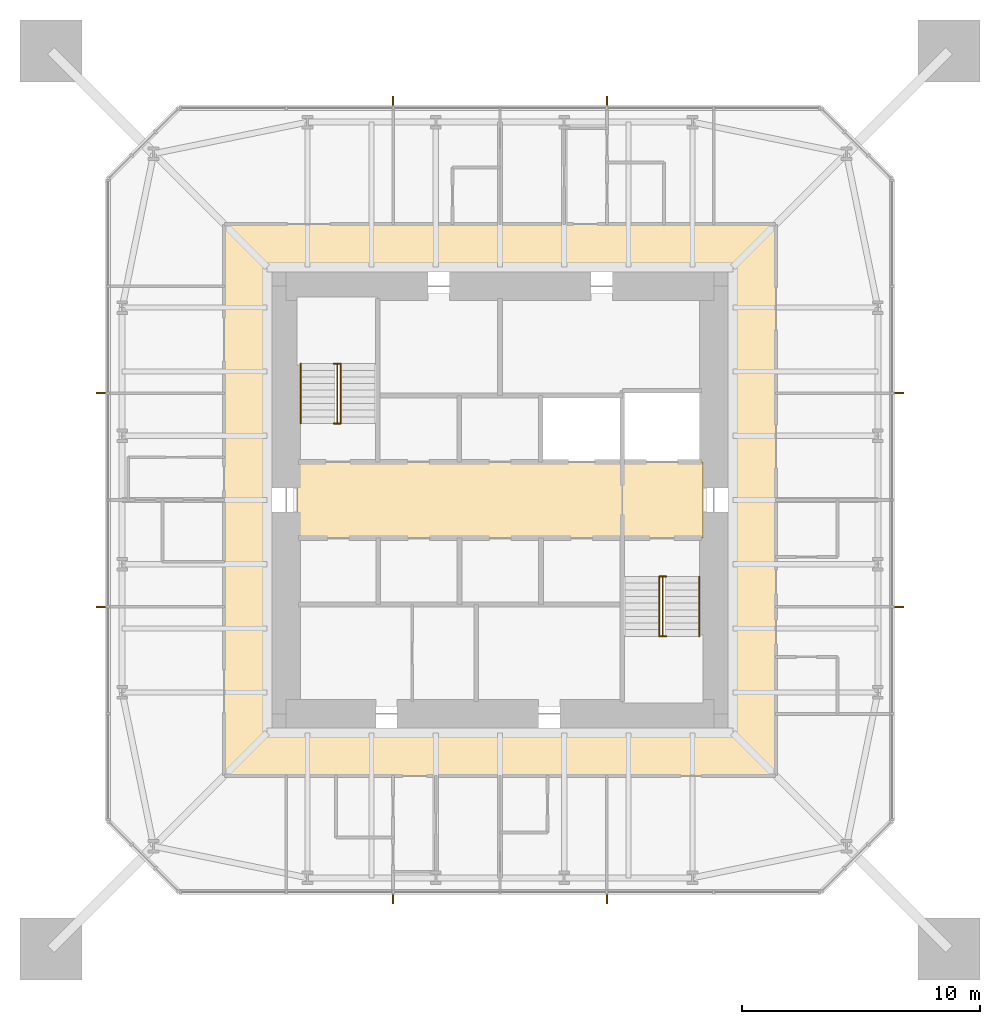
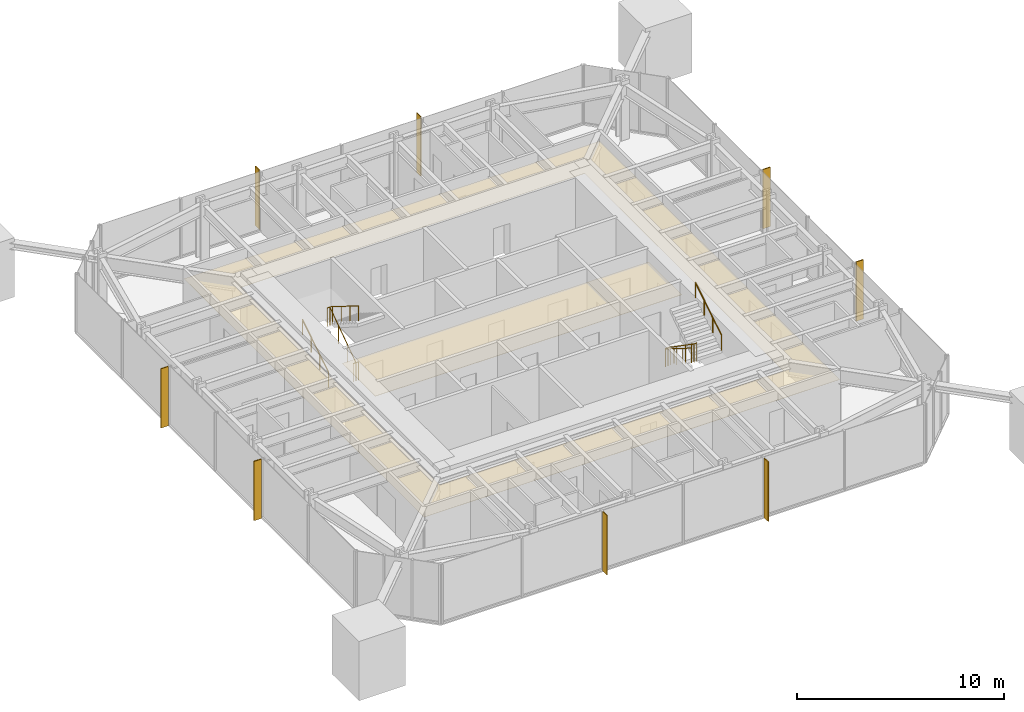
# One storey, part 9 of 9: 8 shading devices, 6 railings, 3 coverings.
"""IFC4 building model written with IfcOpenShell, lengths in metres."""

from ifc_helpers import new_model, si_unit, direction, frame, origin, origin_2d, place, context, subcontext, project, spatial, polyline, rectangle, circle, outline, extrude, material, layer, layer_set, constituent, constituent_set, type_object, element, save


model = new_model("IFC4")

# Units and contexts
model_context = context("Model", 3, precision=1e-05, world=origin(), true_north=direction((0.0, 1.0)))
body_context = subcontext(model_context, "Body", "Model", "MODEL_VIEW")
ifc_project = project(units=[si_unit("LENGTHUNIT", "METRE"), si_unit("AREAUNIT", "SQUARE_METRE"), si_unit("VOLUMEUNIT", "CUBIC_METRE"), si_unit("PLANEANGLEUNIT", "RADIAN"), si_unit("MASSUNIT", "GRAM", prefix="KILO")], contexts=[model_context])

# Site, building, storey
site_placement = place(None, origin())
site = spatial("IfcSite", under=ifc_project, at=site_placement, CompositionType="ELEMENT")
building_placement = place(site_placement, origin())
building = spatial("IfcBuilding", under=site, at=building_placement, Name="Iwan Alto Co-Living Towers", CompositionType="ELEMENT")
storey_placement = place(building_placement, frame((0.0, 0.0, 257.0)))
storey = spatial("IfcBuildingStorey", under=building, at=storey_placement, Name="L70", CompositionType="ELEMENT", Elevation=257.0)

# Coverings
ifc_material_1 = material(Name="Mineral fibre acoustic tiles on steel grid", Category="steel")
ifc_layer_1 = layer(ifc_material_1, 0.02001953125)
ifc_layer_set_1 = layer_set([ifc_layer_1], Name="ACOUSTIC TILE CEILING 20")
covering_type_1 = type_object("IfcCoveringType", Name="ACOUSTIC TILE CEILING 20", PredefinedType="CEILING", material=ifc_layer_set_1)
covering_1_placement = place(storey_placement, frame((0.0, 0.0, 2.60009765625)))
element("IfcCovering", 1, at=covering_1_placement, inside=storey, type_object=covering_type_1, Name="Ceiling Lift lobby L70", PredefinedType="CEILING", context=body_context, shape_type="SweptSolid", body=[
    extrude(outline(polyline([(-8.550048828125, -1.60009765625), (-8.550048828125, 1.60009765625), (5.14990234375, 1.60009765625), (5.14990234375, -1.60009765625), (-8.550048828125, -1.60009765625)])), origin(), (0.0, 0.0, 1.0), 0.02001953125),
])
covering_2_placement = place(storey_placement, frame((0.0, 0.0, 2.60009765625)))
element("IfcCovering", 2, at=covering_2_placement, inside=storey, type_object=covering_type_1, Name="Ceiling Firefighting lobby L70", PredefinedType="CEILING", context=body_context, shape_type="SweptSolid", body=[
    extrude(outline(polyline([(5.14990234375, -1.60009765625), (5.14990234375, 1.60009765625), (8.550048828125, 1.60009765625), (8.550048828125, -1.60009765625), (5.14990234375, -1.60009765625)])), origin(), (0.0, 0.0, 1.0), 0.02001953125),
])

# Shading devices
ifc_material_2 = material(Name="Aluminium 6063-T6 bronze anodised", Category="aluminium")
ifc_layer_2 = layer(ifc_material_2, 0.050048828125)
ifc_layer_set_2 = layer_set([ifc_layer_2], Name="BRONZE FIN 50X400")
shading_device_type = type_object("IfcShadingDeviceType", Name="BRONZE FIN 50X400", PredefinedType="USERDEFINED", material=ifc_layer_set_2)
for number, where, z_axis, x_axis, name in (
    (3, (-4.5, -16.800048828125, 0.0), (0.0, 0.0, 1.0), (1.0, 0.0, 0.0), "Bronze fin L70"),
    (4, (4.5, -16.800048828125, 0.0), (0.0, 0.0, 1.0), (1.0, 0.0, 0.0), "Bronze fin L70"),
    (5, (16.800048828125, -4.5, 0.0), (0.0, 0.0, 1.0), (0.0, 1.0, 0.0), "Bronze fin L70"),
    (6, (16.800048828125, 4.5, 0.0), (0.0, 0.0, 1.0), (0.0, 1.0, 0.0), "Bronze fin L70"),
    (7, (4.5, 16.800048828125, 0.0), (0.0, 0.0, 1.0), (-1.0, 0.0, 0.0), "Bronze fin L70"),
    (8, (-4.5, 16.800048828125, 0.0), (0.0, 0.0, 1.0), (-1.0, 0.0, 0.0), "Bronze fin L70"),
    (9, (-16.800048828125, 4.5, 0.0), (0.0, 0.0, 1.0), (0.0, -1.0, 0.0), "Bronze fin L70"),
    (10, (-16.800048828125, -4.5, 0.0), (0.0, 0.0, 1.0), (0.0, -1.0, 0.0), "Bronze fin L70"),
):
    element("IfcShadingDevice", number, at=place(storey_placement, frame(where, z_axis=z_axis, x_axis=x_axis)), inside=storey, type_object=shading_device_type, Name=name, ObjectType="LOUVER", PredefinedType="USERDEFINED", context=body_context, shape_type="SweptSolid", body=[
        extrude(rectangle(XDim=0.050048828125, YDim=0.39990234375, at=origin_2d()), origin(), (0.0, 0.0, 1.0), 3.5),
    ])

# Railings
ifc_material_3 = material(Name="Steel ASTM A500 Gr C", Category="steel")
ifc_constituent_1 = constituent(ifc_material_3, Name="Rails and posts", Category="Framing")
ifc_material_4 = material(Name="Steel ASTM A36", Category="steel")
ifc_constituent_2 = constituent(ifc_material_4, Name="Bar infill", Category="Infill")
ifc_constituent_set = constituent_set(constituents=[ifc_constituent_1, ifc_constituent_2], Name="STAIR GUARD 1100")
railing_type_1 = type_object("IfcRailingType", Name="STAIR GUARD 1100", PredefinedType="GUARDRAIL", material=ifc_constituent_set)
railing_1_placement = place(storey_placement, frame((-6.85009765625, 3.219970703125, 0.0)))
element("IfcRailing", 11, at=railing_1_placement, inside=storey, type_object=railing_type_1, Name="Stair T1-S1 well guard L70", PredefinedType="GUARDRAIL", context=body_context, shape_type="SweptSolid", body=[
    extrude(circle(Radius=0.02392578125, at=origin_2d()), frame((0.0, 0.0, 1.076171875), z_axis=(0.0, 0.821372036852, 0.570392826987), x_axis=(-1.0, 0.0, 0.0)), (0.0, 0.0, 1.0), 3.068115234375),
    extrude(circle(Radius=0.02392578125, at=origin_2d()), frame((-0.14990234375, 0.0, 1.076171875), z_axis=(1.0, 0.0, 0.0), x_axis=(0.0, 1.0, 0.0)), (0.0, 0.0, 1.0), 0.300048828125),
    extrude(circle(Radius=0.02392578125, at=origin_2d()), frame((-0.14990234375, 2.52001953125, 2.826171875), z_axis=(1.0, 0.0, 0.0), x_axis=(0.0, 1.0, 0.0)), (0.0, 0.0, 1.0), 0.300048828125),
    extrude(circle(Radius=0.02099609375, at=origin_2d()), origin(), (0.0, 0.0, 1.0), 1.052001953125),
    extrude(circle(Radius=0.02099609375, at=origin_2d()), frame((0.0, 0.840087890625, 0.583251953125)), (0.0, 0.0, 1.0), 1.052001953125),
    extrude(circle(Radius=0.02099609375, at=origin_2d()), frame((0.0, 1.679931640625, 1.166748046875)), (0.0, 0.0, 1.0), 1.052001953125),
    extrude(circle(Radius=0.02099609375, at=origin_2d()), frame((0.0, 2.52001953125, 1.75)), (0.0, 0.0, 1.0), 1.052001953125),
    extrude(circle(Radius=0.02099609375, at=origin_2d()), frame((-0.14990234375, 0.0, 0.0)), (0.0, 0.0, 1.0), 1.052001953125),
    extrude(circle(Radius=0.02099609375, at=origin_2d()), frame((0.150146484375, 0.0, 0.0)), (0.0, 0.0, 1.0), 1.052001953125),
    extrude(circle(Radius=0.02099609375, at=origin_2d()), frame((-0.14990234375, 2.52001953125, 1.75)), (0.0, 0.0, 1.0), 1.052001953125),
    extrude(circle(Radius=0.02099609375, at=origin_2d()), frame((0.150146484375, 2.52001953125, 1.75)), (0.0, 0.0, 1.0), 1.052001953125),
])
railing_2_placement = place(storey_placement, frame((6.85009765625, -3.219970703125, 0.0)))
element("IfcRailing", 12, at=railing_2_placement, inside=storey, type_object=railing_type_1, Name="Stair T1-S2 well guard L70", PredefinedType="GUARDRAIL", context=body_context, shape_type="SweptSolid", body=[
    extrude(circle(Radius=0.02392578125, at=origin_2d()), frame((0.0, 0.0, 1.076171875), z_axis=(0.0, -0.821372036852, 0.570392826987), x_axis=(1.0, 0.0, 0.0)), (0.0, 0.0, 1.0), 3.068115234375),
    extrude(circle(Radius=0.02392578125, at=origin_2d()), frame((-0.150146484375, 0.0, 1.076171875), z_axis=(1.0, 0.0, 0.0), x_axis=(0.0, 1.0, 0.0)), (0.0, 0.0, 1.0), 0.300048828125),
    extrude(circle(Radius=0.02392578125, at=origin_2d()), frame((-0.150146484375, -2.52001953125, 2.826171875), z_axis=(1.0, 0.0, 0.0), x_axis=(0.0, 1.0, 0.0)), (0.0, 0.0, 1.0), 0.300048828125),
    extrude(circle(Radius=0.02099609375, at=origin_2d()), origin(), (0.0, 0.0, 1.0), 1.052001953125),
    extrude(circle(Radius=0.02099609375, at=origin_2d()), frame((0.0, -0.840087890625, 0.583251953125)), (0.0, 0.0, 1.0), 1.052001953125),
    extrude(circle(Radius=0.02099609375, at=origin_2d()), frame((0.0, -1.679931640625, 1.166748046875)), (0.0, 0.0, 1.0), 1.052001953125),
    extrude(circle(Radius=0.02099609375, at=origin_2d()), frame((0.0, -2.52001953125, 1.75)), (0.0, 0.0, 1.0), 1.052001953125),
    extrude(circle(Radius=0.02099609375, at=origin_2d()), frame((-0.150146484375, 0.0, 0.0)), (0.0, 0.0, 1.0), 1.052001953125),
    extrude(circle(Radius=0.02099609375, at=origin_2d()), frame((0.14990234375, 0.0, 0.0)), (0.0, 0.0, 1.0), 1.052001953125),
    extrude(circle(Radius=0.02099609375, at=origin_2d()), frame((-0.150146484375, -2.52001953125, 1.75)), (0.0, 0.0, 1.0), 1.052001953125),
    extrude(circle(Radius=0.02099609375, at=origin_2d()), frame((0.14990234375, -2.52001953125, 1.75)), (0.0, 0.0, 1.0), 1.052001953125),
])
ifc_material_5 = material(Name="Steel ASTM A500 Gr C", Category="steel")
railing_type_2 = type_object("IfcRailingType", Name="STAIR HANDRAIL 900", PredefinedType="HANDRAIL", material=ifc_material_5)
railing_3_placement = place(storey_placement, frame((-8.3798828125, 3.219970703125, 0.175048828125)))
element("IfcRailing", 13, at=railing_3_placement, inside=storey, type_object=railing_type_2, Name="Stair T1-S1 handrail 1 L70", PredefinedType="HANDRAIL", context=body_context, shape_type="SweptSolid", body=[
    extrude(circle(Radius=0.02392578125, at=origin_2d()), frame((0.0, 0.0, 0.8759765625), z_axis=(0.0, 0.848007534815, 0.529984170421), x_axis=(-1.0, 0.0, 0.0)), (0.0, 0.0, 1.0), 2.9716796875),
    extrude(circle(Radius=0.02099609375, at=origin_2d()), origin(), (0.0, 0.0, 1.0), 0.851806640625),
    extrude(circle(Radius=0.02099609375, at=origin_2d()), frame((0.0, 0.840087890625, 0.52490234375)), (0.0, 0.0, 1.0), 0.851806640625),
    extrude(circle(Radius=0.02099609375, at=origin_2d()), frame((0.0, 1.679931640625, 1.050048828125)), (0.0, 0.0, 1.0), 0.851806640625),
    extrude(circle(Radius=0.02099609375, at=origin_2d()), frame((0.0, 2.52001953125, 1.574951171875)), (0.0, 0.0, 1.0), 0.851806640625),
])
for number, where, name in (
    (14, (-6.699951171875, 5.739990234375, 1.925048828125), "Stair T1-S1 handrail 2 L70"),
    (15, (6.699951171875, -3.219970703125, 0.175048828125), "Stair T1-S2 handrail 1 L70"),
):
    element("IfcRailing", number, at=place(storey_placement, frame(where)), inside=storey, type_object=railing_type_2, Name=name, PredefinedType="HANDRAIL", context=body_context, shape_type="SweptSolid", body=[
        extrude(circle(Radius=0.02392578125, at=origin_2d()), frame((0.0, 0.0, 0.8759765625), z_axis=(0.0, -0.848007534815, 0.529984170421), x_axis=(1.0, 0.0, 0.0)), (0.0, 0.0, 1.0), 2.9716796875),
        extrude(circle(Radius=0.02099609375, at=origin_2d()), origin(), (0.0, 0.0, 1.0), 0.851806640625),
        extrude(circle(Radius=0.02099609375, at=origin_2d()), frame((0.0, -0.840087890625, 0.52490234375)), (0.0, 0.0, 1.0), 0.851806640625),
        extrude(circle(Radius=0.02099609375, at=origin_2d()), frame((0.0, -1.679931640625, 1.050048828125)), (0.0, 0.0, 1.0), 0.851806640625),
        extrude(circle(Radius=0.02099609375, at=origin_2d()), frame((0.0, -2.52001953125, 1.574951171875)), (0.0, 0.0, 1.0), 0.851806640625),
    ])
railing_4_placement = place(storey_placement, frame((8.3798828125, -5.739990234375, 1.925048828125)))
element("IfcRailing", 16, at=railing_4_placement, inside=storey, type_object=railing_type_2, Name="Stair T1-S2 handrail 2 L70", PredefinedType="HANDRAIL", context=body_context, shape_type="SweptSolid", body=[
    extrude(circle(Radius=0.02392578125, at=origin_2d()), frame((0.0, 0.0, 0.8759765625), z_axis=(0.0, 0.848007534815, 0.529984170421), x_axis=(-1.0, 0.0, 0.0)), (0.0, 0.0, 1.0), 2.9716796875),
    extrude(circle(Radius=0.02099609375, at=origin_2d()), origin(), (0.0, 0.0, 1.0), 0.851806640625),
    extrude(circle(Radius=0.02099609375, at=origin_2d()), frame((0.0, 0.840087890625, 0.52490234375)), (0.0, 0.0, 1.0), 0.851806640625),
    extrude(circle(Radius=0.02099609375, at=origin_2d()), frame((0.0, 1.679931640625, 1.050048828125)), (0.0, 0.0, 1.0), 0.851806640625),
    extrude(circle(Radius=0.02099609375, at=origin_2d()), frame((0.0, 2.52001953125, 1.574951171875)), (0.0, 0.0, 1.0), 0.851806640625),
])

# Covering
ifc_material_6 = material(Name="Gypsum plasterboard on steel grid", Category="steel")
ifc_layer_3 = layer(ifc_material_6, 0.014892578125)
ifc_layer_set_3 = layer_set([ifc_layer_3], Name="SUSPENDED PLASTERBOARD CEILING 15")
covering_type_2 = type_object("IfcCoveringType", Name="SUSPENDED PLASTERBOARD CEILING 15", PredefinedType="CEILING", material=ifc_layer_set_3)
covering_3_placement = place(storey_placement, frame((0.0, 0.0, 2.60009765625)))
element("IfcCovering", 17, at=covering_3_placement, inside=storey, type_object=covering_type_2, Name="Ceiling Corridor L70", PredefinedType="CEILING", context=body_context, shape_type="SweptSolid", body=[
    extrude(outline(polyline([(-11.60009765625, 11.60009765625), (11.60009765625, 11.60009765625), (11.60009765625, -11.60009765625), (-11.60009765625, -11.60009765625), (-11.60009765625, 11.60009765625)]), holes=[polyline([(-9.60009765625, 9.60009765625), (-9.60009765625, -9.60009765625), (9.60009765625, -9.60009765625), (9.60009765625, 9.60009765625), (-9.60009765625, 9.60009765625)])]), origin(), (0.0, 0.0, 1.0), 0.014892578125),
])

save(model, "model.ifc")
